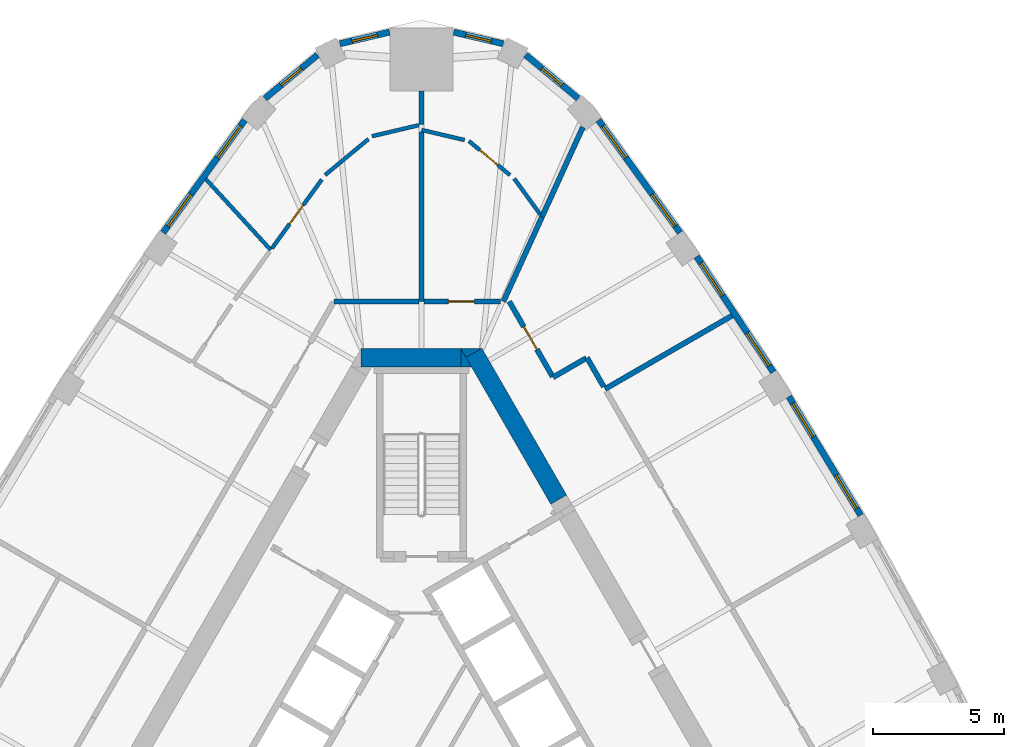
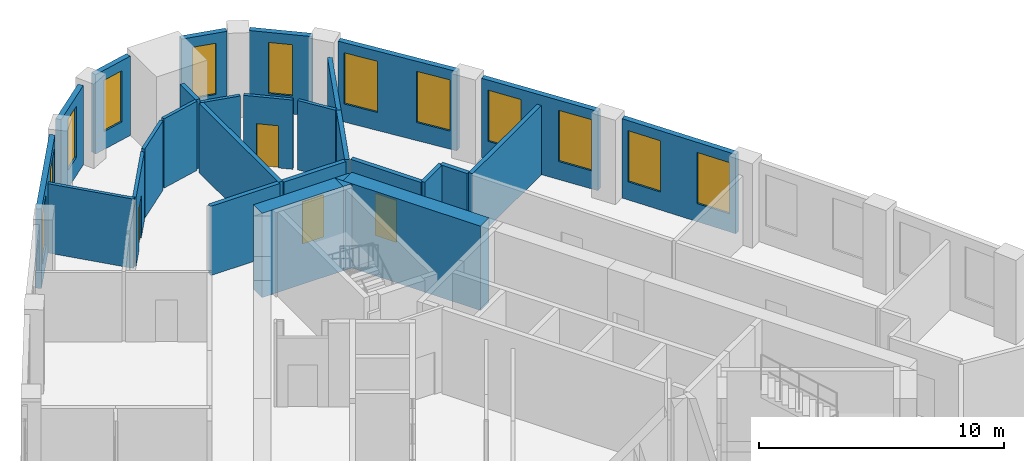
# One storey, part 8 of 10: 29 walls, 12 windows, 4 doors, 16 openings.
"""IFC4 building model written with IfcOpenShell, lengths in metres."""

from ifc_helpers import new_model, si_unit, direction, frame, frame_2d, origin, place, context, subcontext, project, spatial, polyline, rectangle, outline, extrude, material, layer, layer_set, type_object, element, fill, save


model = new_model("IFC4")

# Units and contexts
model_context = context("Model", 3, precision=1e-05, world=origin(), true_north=direction((0.0, 1.0)))
body_context = subcontext(model_context, "Body", "Model", "MODEL_VIEW")
ifc_project = project(units=[si_unit("LENGTHUNIT", "METRE"), si_unit("AREAUNIT", "SQUARE_METRE"), si_unit("VOLUMEUNIT", "CUBIC_METRE"), si_unit("PLANEANGLEUNIT", "RADIAN"), si_unit("MASSUNIT", "GRAM", prefix="KILO")], contexts=[model_context])

# Site, building, storey
site_placement = place(None, origin())
site = spatial("IfcSite", under=ifc_project, at=site_placement, CompositionType="ELEMENT")
building_placement = place(site_placement, origin())
building = spatial("IfcBuilding", under=site, at=building_placement, Name="Mestral Congress Tower", CompositionType="ELEMENT")
storey_placement = place(building_placement, frame((0.0, 0.0, 218.39990234375)))
storey = spatial("IfcBuildingStorey", under=building, at=storey_placement, Name="L51", CompositionType="ELEMENT", Elevation=218.39990234375)

# Walls
ifc_material_1 = material(Name="Concrete C60/75", Category="concrete")
ifc_layer_1 = layer(ifc_material_1, 0.699951171875)
ifc_layer_set_1 = layer_set([ifc_layer_1], Name="Concrete C60/75")
wall_type_1 = type_object("IfcWallType", Name="Core wall RC 700", PredefinedType="SOLIDWALL", material=ifc_layer_set_1)
wall_1_placement = place(storey_placement, frame((5.23828125, 10.927001953125, 0.0), z_axis=(0.0, 0.0, 1.0), x_axis=(-0.499985607887, 0.866033712915, 0.0)))
element("IfcWall", 1, at=wall_1_placement, inside=storey, type_object=wall_type_1, Name="L51 core wall", PredefinedType="SOLIDWALL", context=body_context, shape_type="SweptSolid", body=[
    extrude(rectangle(XDim=6.478271484375, YDim=0.699951171875, at=frame_2d((3.2392578125, 0.0))), origin(), (0.0, 0.0, 1.0), 4.2001953125),
])
placement = place(storey_placement, origin())
element("IfcWall", 2, at=placement, inside=storey, type_object=wall_type_1, Name="L51 core wall", PredefinedType="SOLIDWALL", context=body_context, shape_type="SweptSolid", body=[
    extrude(outline(polyline([(1.501220703125, 16.699951171875), (2.277099609375, 16.699951171875), (1.695068359375, 16.364013671875), (1.501220703125, 16.699951171875)])), origin(), (0.0, 0.0, 1.0), 4.2001953125),
])
wall_3_placement = place(storey_placement, frame((-2.323486328125, 16.35009765625, 0.0), z_axis=(0.0, 0.0, 1.0), x_axis=(1.0, 0.0, 0.0)))
element("IfcWall", 3, at=wall_3_placement, inside=storey, type_object=wall_type_1, Name="L51 core wall", PredefinedType="SOLIDWALL", context=body_context, shape_type="SweptSolid", body=[
    extrude(rectangle(XDim=3.828857421875, YDim=0.699951171875, at=frame_2d((1.91455078125, 0.0))), origin(), (0.0, 0.0, 1.0), 4.2001953125),
])
element("IfcWall", 4, at=placement, inside=storey, type_object=wall_type_1, Name="L51 core wall", PredefinedType="SOLIDWALL", context=body_context, shape_type="SweptSolid", body=[
    extrude(outline(polyline([(1.9052734375, 16.0), (1.50732421875, 16.0), (1.50732421875, 16.689208984375), (1.9052734375, 16.0)])), origin(), (0.0, 0.0, 1.0), 4.2001953125),
])

# Wall, openings, windows
ifc_material_2 = material(Name="Precast concrete C40/50 with limestone facing", Category="masonry")
ifc_layer_2 = layer(ifc_material_2, 0.239990234375)
ifc_layer_set_2 = layer_set([ifc_layer_2], Name="Precast concrete C40/50 with limestone facing")
wall_type_2 = type_object("IfcWallType", Name="Facade stone wall 240", PredefinedType="SOLIDWALL", material=ifc_layer_set_2)
wall_5_placement = place(storey_placement, frame((16.78173828125, 10.331298828125, 0.0), z_axis=(0.0, 0.0, 1.0), x_axis=(-0.517846166225, 0.855473756538, 0.0)))
wall_5 = element("IfcWall", 5, at=wall_5_placement, inside=storey, type_object=wall_type_2, Name="Facade wall F1-03", PredefinedType="SOLIDWALL", context=body_context, shape_type="SweptSolid", body=[
    extrude(rectangle(XDim=5.298095703125, YDim=0.239990234375, at=frame_2d((2.64892578125, 0.0))), origin(), (0.0, 0.0, 1.0), 3.9501953125),
])
opening_1_placement = place(wall_5_placement, frame((0.29443359375, 0.0, 0.89990234375)))
opening_1 = element("IfcOpeningElement", 6, at=opening_1_placement, cuts=wall_5, Name="Opening W4", PredefinedType="OPENING", context=body_context, shape_type="SweptSolid", body=[
    extrude(rectangle(XDim=1.5, YDim=2.550048828125, at=frame_2d((0.75, 1.27490234375))), frame((0.0, 0.1298828125, 0.0), z_axis=(0.0, -1.0, 0.0), x_axis=(1.0, 0.0, 0.0)), (0.0, 0.0, 1.0), 0.260009765625),
])
opening_2_placement = place(wall_5_placement, frame((3.503662109375, 0.0, 0.89990234375)))
opening_2 = element("IfcOpeningElement", 7, at=opening_2_placement, cuts=wall_5, Name="Opening W4", PredefinedType="OPENING", context=body_context, shape_type="SweptSolid", body=[
    extrude(rectangle(XDim=1.5, YDim=2.550048828125, at=frame_2d((0.75, 1.27490234375))), frame((0.0, 0.1298828125, 0.0), z_axis=(0.0, -1.0, 0.0), x_axis=(1.0, 0.0, 0.0)), (0.0, 0.0, 1.0), 0.260009765625),
])
ifc_material_3 = material(Name="Clear low-emissivity double glazing", Category="glass")
window_type_1 = type_object("IfcWindowType", Name="Facade punched window 1500 x 2550 sill 900", PartitioningType="SINGLE_PANEL", PredefinedType="WINDOW", material=ifc_material_3)
window_1_placement = place(opening_1_placement, origin())
window_1 = element("IfcWindow", 8, at=window_1_placement, inside=storey, type_object=window_type_1, Name="Window F1-03a", OverallHeight=2.550048828125, OverallWidth=1.5, PartitioningType="SINGLE_PANEL", PredefinedType="WINDOW", context=body_context, shape_type="SweptSolid", body=[
    extrude(rectangle(XDim=1.5, YDim=2.550048828125, at=frame_2d((0.75, 1.27490234375))), frame((0.0, 0.0400390625, 0.0), z_axis=(0.0, -1.0, 0.0), x_axis=(1.0, 0.0, 0.0)), (0.0, 0.0, 1.0), 0.06005859375),
])
fill(opening_1, window_1)
window_2_placement = place(opening_2_placement, origin())
window_2 = element("IfcWindow", 9, at=window_2_placement, inside=storey, type_object=window_type_1, Name="Window F1-03b", OverallHeight=2.550048828125, OverallWidth=1.5, PartitioningType="SINGLE_PANEL", PredefinedType="WINDOW", context=body_context, shape_type="SweptSolid", body=[
    extrude(rectangle(XDim=1.5, YDim=2.550048828125, at=frame_2d((0.75, 1.27490234375))), frame((0.0, 0.0400390625, 0.0), z_axis=(0.0, -1.0, 0.0), x_axis=(1.0, 0.0, 0.0)), (0.0, 0.0, 1.0), 0.06005859375),
])
fill(opening_2, window_2)

wall_6_placement = place(storey_placement, frame((13.442138671875, 15.803466796875, 0.0), z_axis=(0.0, 0.0, 1.0), x_axis=(-0.552901821755, 0.833246407433, 0.0)))
wall_6 = element("IfcWall", 10, at=wall_6_placement, inside=storey, type_object=wall_type_2, Name="Facade wall F1-04", PredefinedType="SOLIDWALL", context=body_context, shape_type="SweptSolid", body=[
    extrude(rectangle(XDim=5.29833984375, YDim=0.239990234375, at=frame_2d((2.649169921875, 0.0))), origin(), (0.0, 0.0, 1.0), 3.9501953125),
])
opening_3_placement = place(wall_6_placement, frame((0.294677734375, 0.0, 0.89990234375)))
opening_3 = element("IfcOpeningElement", 11, at=opening_3_placement, cuts=wall_6, Name="Opening W4", PredefinedType="OPENING", context=body_context, shape_type="SweptSolid", body=[
    extrude(rectangle(XDim=1.5, YDim=2.550048828125, at=frame_2d((0.75, 1.27490234375))), frame((0.0, 0.1298828125, 0.0), z_axis=(0.0, -1.0, 0.0), x_axis=(1.0, 0.0, 0.0)), (0.0, 0.0, 1.0), 0.260009765625),
])
opening_4_placement = place(wall_6_placement, frame((3.50390625, 0.0, 0.89990234375)))
opening_4 = element("IfcOpeningElement", 12, at=opening_4_placement, cuts=wall_6, Name="Opening W4", PredefinedType="OPENING", context=body_context, shape_type="SweptSolid", body=[
    extrude(rectangle(XDim=1.5, YDim=2.550048828125, at=frame_2d((0.75, 1.27490234375))), frame((0.0, 0.1298828125, 0.0), z_axis=(0.0, -1.0, 0.0), x_axis=(1.0, 0.0, 0.0)), (0.0, 0.0, 1.0), 0.260009765625),
])
window_3_placement = place(opening_3_placement, origin())
window_3 = element("IfcWindow", 13, at=window_3_placement, inside=storey, type_object=window_type_1, Name="Window F1-04a", OverallHeight=2.550048828125, OverallWidth=1.5, PartitioningType="SINGLE_PANEL", PredefinedType="WINDOW", context=body_context, shape_type="SweptSolid", body=[
    extrude(rectangle(XDim=1.5, YDim=2.550048828125, at=frame_2d((0.75, 1.27490234375))), frame((0.0, 0.0400390625, 0.0), z_axis=(0.0, -1.0, 0.0), x_axis=(1.0, 0.0, 0.0)), (0.0, 0.0, 1.0), 0.06005859375),
])
fill(opening_3, window_3)
window_4_placement = place(opening_4_placement, origin())
window_4 = element("IfcWindow", 14, at=window_4_placement, inside=storey, type_object=window_type_1, Name="Window F1-04b", OverallHeight=2.550048828125, OverallWidth=1.5, PartitioningType="SINGLE_PANEL", PredefinedType="WINDOW", context=body_context, shape_type="SweptSolid", body=[
    extrude(rectangle(XDim=1.5, YDim=2.550048828125, at=frame_2d((0.75, 1.27490234375))), frame((0.0, 0.0400390625, 0.0), z_axis=(0.0, -1.0, 0.0), x_axis=(1.0, 0.0, 0.0)), (0.0, 0.0, 1.0), 0.06005859375),
])
fill(opening_4, window_4)

wall_7_placement = place(storey_placement, frame((9.87841796875, 21.13232421875, 0.0), z_axis=(0.0, 0.0, 1.0), x_axis=(-0.586998456641, 0.80958805074, 0.0)))
wall_7 = element("IfcWall", 15, at=wall_7_placement, inside=storey, type_object=wall_type_2, Name="Facade wall F1-05", PredefinedType="SOLIDWALL", context=body_context, shape_type="SweptSolid", body=[
    extrude(rectangle(XDim=5.310791015625, YDim=0.239990234375, at=frame_2d((2.6552734375, 0.0))), origin(), (0.0, 0.0, 1.0), 3.9501953125),
])
opening_5_placement = place(wall_7_placement, frame((0.306396484375, 0.0, 0.89990234375)))
opening_5 = element("IfcOpeningElement", 16, at=opening_5_placement, cuts=wall_7, Name="Opening W4", PredefinedType="OPENING", context=body_context, shape_type="SweptSolid", body=[
    extrude(rectangle(XDim=1.5, YDim=2.550048828125, at=frame_2d((0.75, 1.27490234375))), frame((0.0, 0.1298828125, 0.0), z_axis=(0.0, -1.0, 0.0), x_axis=(1.0, 0.0, 0.0)), (0.0, 0.0, 1.0), 0.260009765625),
])
opening_6_placement = place(wall_7_placement, frame((3.539306640625, 0.0, 0.89990234375)))
opening_6 = element("IfcOpeningElement", 17, at=opening_6_placement, cuts=wall_7, Name="Opening W4", PredefinedType="OPENING", context=body_context, shape_type="SweptSolid", body=[
    extrude(rectangle(XDim=1.5, YDim=2.550048828125, at=frame_2d((0.75, 1.27490234375))), frame((0.0, 0.1298828125, 0.0), z_axis=(0.0, -1.0, 0.0), x_axis=(1.0, 0.0, 0.0)), (0.0, 0.0, 1.0), 0.260009765625),
])
window_5_placement = place(opening_5_placement, origin())
window_5 = element("IfcWindow", 18, at=window_5_placement, inside=storey, type_object=window_type_1, Name="Window F1-05a", OverallHeight=2.550048828125, OverallWidth=1.5, PartitioningType="SINGLE_PANEL", PredefinedType="WINDOW", context=body_context, shape_type="SweptSolid", body=[
    extrude(rectangle(XDim=1.5, YDim=2.550048828125, at=frame_2d((0.75, 1.27490234375))), frame((0.0, 0.0400390625, 0.0), z_axis=(0.0, -1.0, 0.0), x_axis=(1.0, 0.0, 0.0)), (0.0, 0.0, 1.0), 0.06005859375),
])
fill(opening_5, window_5)
window_6_placement = place(opening_6_placement, origin())
window_6 = element("IfcWindow", 19, at=window_6_placement, inside=storey, type_object=window_type_1, Name="Window F1-05b", OverallHeight=2.550048828125, OverallWidth=1.5, PartitioningType="SINGLE_PANEL", PredefinedType="WINDOW", context=body_context, shape_type="SweptSolid", body=[
    extrude(rectangle(XDim=1.5, YDim=2.550048828125, at=frame_2d((0.75, 1.27490234375))), frame((0.0, 0.0400390625, 0.0), z_axis=(0.0, -1.0, 0.0), x_axis=(1.0, 0.0, 0.0)), (0.0, 0.0, 1.0), 0.06005859375),
])
fill(opening_6, window_6)

# Wall, opening, window
wall_8_placement = place(storey_placement, frame((5.986572265625, 26.259033203125, 0.0), z_axis=(0.0, 0.0, 1.0), x_axis=(-0.769990037733, 0.638055908045, 0.0)))
wall_8 = element("IfcWall", 20, at=wall_8_placement, inside=storey, type_object=wall_type_2, Name="Facade wall K1-0", PredefinedType="SOLIDWALL", context=body_context, shape_type="SweptSolid", body=[
    extrude(rectangle(XDim=2.609130859375, YDim=0.239990234375, at=frame_2d((1.3046875, 0.0))), origin(), (0.0, 0.0, 1.0), 3.9501953125),
])
opening_7_placement = place(wall_8_placement, frame((0.8046875, 0.0, 0.89990234375)))
opening_7 = element("IfcOpeningElement", 21, at=opening_7_placement, cuts=wall_8, Name="Opening W5", PredefinedType="OPENING", context=body_context, shape_type="SweptSolid", body=[
    extrude(rectangle(XDim=1.0, YDim=2.550048828125, at=frame_2d((0.5, 1.27490234375))), frame((0.0, 0.1298828125, 0.0), z_axis=(0.0, -1.0, 0.0), x_axis=(1.0, 0.0, 0.0)), (0.0, 0.0, 1.0), 0.260009765625),
])
window_type_2 = type_object("IfcWindowType", Name="Facade punched window 1000 x 2550 sill 900", PartitioningType="SINGLE_PANEL", PredefinedType="WINDOW", material=ifc_material_3)
window_7_placement = place(opening_7_placement, origin())
window_7 = element("IfcWindow", 22, at=window_7_placement, inside=storey, type_object=window_type_2, Name="Window K1-0", OverallHeight=2.550048828125, OverallWidth=1.0, PartitioningType="SINGLE_PANEL", PredefinedType="WINDOW", context=body_context, shape_type="SweptSolid", body=[
    extrude(rectangle(XDim=1.0, YDim=2.550048828125, at=frame_2d((0.5, 1.27490234375))), frame((0.0, 0.0400390625, 0.0), z_axis=(0.0, -1.0, 0.0), x_axis=(1.0, 0.0, 0.0)), (0.0, 0.0, 1.0), 0.06005859375),
])
fill(opening_7, window_7)

wall_9_placement = place(storey_placement, frame((3.123046875, 28.3486328125, 0.0), z_axis=(0.0, 0.0, 1.0), x_axis=(-0.973515706272, 0.228620142686, 0.0)))
wall_9 = element("IfcWall", 23, at=wall_9_placement, inside=storey, type_object=wall_type_2, Name="Facade wall K1-1", PredefinedType="SOLIDWALL", context=body_context, shape_type="SweptSolid", body=[
    extrude(rectangle(XDim=1.94775390625, YDim=0.239990234375, at=frame_2d((0.973876953125, 0.0))), origin(), (0.0, 0.0, 1.0), 3.9501953125),
])
opening_8_placement = place(wall_9_placement, frame((0.47412109375, 0.0, 0.89990234375)))
opening_8 = element("IfcOpeningElement", 24, at=opening_8_placement, cuts=wall_9, Name="Opening W5", PredefinedType="OPENING", context=body_context, shape_type="SweptSolid", body=[
    extrude(rectangle(XDim=1.0, YDim=2.550048828125, at=frame_2d((0.5, 1.27490234375))), frame((0.0, 0.1298828125, 0.0), z_axis=(0.0, -1.0, 0.0), x_axis=(1.0, 0.0, 0.0)), (0.0, 0.0, 1.0), 0.260009765625),
])
window_8_placement = place(opening_8_placement, origin())
window_8 = element("IfcWindow", 25, at=window_8_placement, inside=storey, type_object=window_type_2, Name="Window K1-1", OverallHeight=2.550048828125, OverallWidth=1.0, PartitioningType="SINGLE_PANEL", PredefinedType="WINDOW", context=body_context, shape_type="SweptSolid", body=[
    extrude(rectangle(XDim=1.0, YDim=2.550048828125, at=frame_2d((0.5, 1.27490234375))), frame((0.0, 0.0400390625, 0.0), z_axis=(0.0, -1.0, 0.0), x_axis=(1.0, 0.0, 0.0)), (0.0, 0.0, 1.0), 0.06005859375),
])
fill(opening_8, window_8)

wall_10_placement = place(storey_placement, frame((-1.226806640625, 28.7939453125, 0.0), z_axis=(0.0, 0.0, 1.0), x_axis=(-0.973515706272, -0.228620142686, 0.0)))
wall_10 = element("IfcWall", 26, at=wall_10_placement, inside=storey, type_object=wall_type_2, Name="Facade wall K1-2", PredefinedType="SOLIDWALL", context=body_context, shape_type="SweptSolid", body=[
    extrude(rectangle(XDim=1.94775390625, YDim=0.239990234375, at=frame_2d((0.973876953125, 0.0))), origin(), (0.0, 0.0, 1.0), 3.9501953125),
])
opening_9_placement = place(wall_10_placement, frame((0.47412109375, 0.0, 0.89990234375)))
opening_9 = element("IfcOpeningElement", 27, at=opening_9_placement, cuts=wall_10, Name="Opening W5", PredefinedType="OPENING", context=body_context, shape_type="SweptSolid", body=[
    extrude(rectangle(XDim=1.0, YDim=2.550048828125, at=frame_2d((0.5, 1.27490234375))), frame((0.0, 0.1298828125, 0.0), z_axis=(0.0, -1.0, 0.0), x_axis=(1.0, 0.0, 0.0)), (0.0, 0.0, 1.0), 0.260009765625),
])
window_9_placement = place(opening_9_placement, origin())
window_9 = element("IfcWindow", 28, at=window_9_placement, inside=storey, type_object=window_type_2, Name="Window K1-2", OverallHeight=2.550048828125, OverallWidth=1.0, PartitioningType="SINGLE_PANEL", PredefinedType="WINDOW", context=body_context, shape_type="SweptSolid", body=[
    extrude(rectangle(XDim=1.0, YDim=2.550048828125, at=frame_2d((0.5, 1.27490234375))), frame((0.0, 0.0400390625, 0.0), z_axis=(0.0, -1.0, 0.0), x_axis=(1.0, 0.0, 0.0)), (0.0, 0.0, 1.0), 0.06005859375),
])
fill(opening_9, window_9)

wall_11_placement = place(storey_placement, frame((-3.9775390625, 27.923828125, 0.0), z_axis=(0.0, 0.0, 1.0), x_axis=(-0.769990037733, -0.638055908045, 0.0)))
wall_11 = element("IfcWall", 29, at=wall_11_placement, inside=storey, type_object=wall_type_2, Name="Facade wall K1-3", PredefinedType="SOLIDWALL", context=body_context, shape_type="SweptSolid", body=[
    extrude(rectangle(XDim=2.609130859375, YDim=0.239990234375, at=frame_2d((1.3046875, 0.0))), origin(), (0.0, 0.0, 1.0), 3.9501953125),
])
opening_10_placement = place(wall_11_placement, frame((0.8046875, 0.0, 0.89990234375)))
opening_10 = element("IfcOpeningElement", 30, at=opening_10_placement, cuts=wall_11, Name="Opening W5", PredefinedType="OPENING", context=body_context, shape_type="SweptSolid", body=[
    extrude(rectangle(XDim=1.0, YDim=2.550048828125, at=frame_2d((0.5, 1.27490234375))), frame((0.0, 0.1298828125, 0.0), z_axis=(0.0, -1.0, 0.0), x_axis=(1.0, 0.0, 0.0)), (0.0, 0.0, 1.0), 0.260009765625),
])
window_10_placement = place(opening_10_placement, origin())
window_10 = element("IfcWindow", 31, at=window_10_placement, inside=storey, type_object=window_type_2, Name="Window K1-3", OverallHeight=2.550048828125, OverallWidth=1.0, PartitioningType="SINGLE_PANEL", PredefinedType="WINDOW", context=body_context, shape_type="SweptSolid", body=[
    extrude(rectangle(XDim=1.0, YDim=2.550048828125, at=frame_2d((0.5, 1.27490234375))), frame((0.0, 0.0400390625, 0.0), z_axis=(0.0, -1.0, 0.0), x_axis=(1.0, 0.0, 0.0)), (0.0, 0.0, 1.0), 0.06005859375),
])
fill(opening_10, window_10)

# Wall, openings, windows
wall_12_placement = place(storey_placement, frame((-6.760986328125, 25.431884765625, 0.0), z_axis=(0.0, 0.0, 1.0), x_axis=(-0.586998456641, -0.80958805074, 0.0)))
wall_12 = element("IfcWall", 32, at=wall_12_placement, inside=storey, type_object=wall_type_2, Name="Facade wall F2-00", PredefinedType="SOLIDWALL", context=body_context, shape_type="SweptSolid", body=[
    extrude(rectangle(XDim=5.310791015625, YDim=0.239990234375, at=frame_2d((2.6552734375, 0.0))), origin(), (0.0, 0.0, 1.0), 3.9501953125),
])
opening_11_placement = place(wall_12_placement, frame((0.271484375, 0.0, 0.89990234375)))
opening_11 = element("IfcOpeningElement", 33, at=opening_11_placement, cuts=wall_12, Name="Opening W4", PredefinedType="OPENING", context=body_context, shape_type="SweptSolid", body=[
    extrude(rectangle(XDim=1.5, YDim=2.550048828125, at=frame_2d((0.75, 1.27490234375))), frame((0.0, 0.1298828125, 0.0), z_axis=(0.0, -1.0, 0.0), x_axis=(1.0, 0.0, 0.0)), (0.0, 0.0, 1.0), 0.260009765625),
])
opening_12_placement = place(wall_12_placement, frame((3.50439453125, 0.0, 0.89990234375)))
opening_12 = element("IfcOpeningElement", 34, at=opening_12_placement, cuts=wall_12, Name="Opening W4", PredefinedType="OPENING", context=body_context, shape_type="SweptSolid", body=[
    extrude(rectangle(XDim=1.5, YDim=2.550048828125, at=frame_2d((0.75, 1.27490234375))), frame((0.0, 0.1298828125, 0.0), z_axis=(0.0, -1.0, 0.0), x_axis=(1.0, 0.0, 0.0)), (0.0, 0.0, 1.0), 0.260009765625),
])
window_11_placement = place(opening_11_placement, origin())
window_11 = element("IfcWindow", 35, at=window_11_placement, inside=storey, type_object=window_type_1, Name="Window F2-00a", OverallHeight=2.550048828125, OverallWidth=1.5, PartitioningType="SINGLE_PANEL", PredefinedType="WINDOW", context=body_context, shape_type="SweptSolid", body=[
    extrude(rectangle(XDim=1.5, YDim=2.550048828125, at=frame_2d((0.75, 1.27490234375))), frame((0.0, 0.0400390625, 0.0), z_axis=(0.0, -1.0, 0.0), x_axis=(1.0, 0.0, 0.0)), (0.0, 0.0, 1.0), 0.06005859375),
])
fill(opening_11, window_11)
window_12_placement = place(opening_12_placement, origin())
window_12 = element("IfcWindow", 36, at=window_12_placement, inside=storey, type_object=window_type_1, Name="Window F2-00b", OverallHeight=2.550048828125, OverallWidth=1.5, PartitioningType="SINGLE_PANEL", PredefinedType="WINDOW", context=body_context, shape_type="SweptSolid", body=[
    extrude(rectangle(XDim=1.5, YDim=2.550048828125, at=frame_2d((0.75, 1.27490234375))), frame((0.0, 0.0400390625, 0.0), z_axis=(0.0, -1.0, 0.0), x_axis=(1.0, 0.0, 0.0)), (0.0, 0.0, 1.0), 0.06005859375),
])
fill(opening_12, window_12)

# Wall
ifc_material_4 = material(Name="Plasterboard partition on steel studs", Category="steel")
ifc_layer_3 = layer(ifc_material_4, 0.14990234375)
ifc_layer_set_3 = layer_set([ifc_layer_3], Name="Plasterboard partition on steel studs")
wall_type_3 = type_object("IfcWallType", Name="Office partition 150", PredefinedType="PARTITIONING", material=ifc_layer_set_3)
wall_13_placement = place(storey_placement, frame((4.533203125, 21.826416015625, 0.0), z_axis=(0.0, 0.0, 1.0), x_axis=(-0.587019669034, 0.809572670096, 0.0)))
element("IfcWall", 37, at=wall_13_placement, inside=storey, type_object=wall_type_3, Name="Partition", PredefinedType="PARTITIONING", context=body_context, shape_type="SweptSolid", body=[
    extrude(rectangle(XDim=1.689453125, YDim=0.14990234375, at=frame_2d((0.8447265625, 0.0))), origin(), (0.0, 0.0, 1.0), 3.4501953125),
])

# Wall, opening, door
wall_14_placement = place(storey_placement, frame((1.8076171875, 24.630859375, 0.0), z_axis=(0.0, 0.0, 1.0), x_axis=(0.769986239032, -0.638060492195, 0.0)))
wall_14 = element("IfcWall", 38, at=wall_14_placement, inside=storey, type_object=wall_type_3, Name="Partition", PredefinedType="PARTITIONING", context=body_context, shape_type="SweptSolid", body=[
    extrude(rectangle(XDim=2.03759765625, YDim=0.14990234375, at=frame_2d((1.018798828125, 0.0))), origin(), (0.0, 0.0, 1.0), 3.4501953125),
])
opening_13_placement = place(wall_14_placement, frame((0.53759765625, 0.0, 0.0)))
opening_13 = element("IfcOpeningElement", 39, at=opening_13_placement, cuts=wall_14, Name="Opening O07-007", PredefinedType="OPENING", context=body_context, shape_type="SweptSolid", body=[
    extrude(rectangle(XDim=0.89990234375, YDim=2.10009765625, at=frame_2d((0.449951171875, 1.050048828125))), frame((0.0, 0.0849609375, 0.0), z_axis=(0.0, -1.0, 0.0), x_axis=(1.0, 0.0, 0.0)), (0.0, 0.0, 1.0), 0.169921875),
])
ifc_material_5 = material(Name="Timber door set", Category="wood")
door_type_1 = type_object("IfcDoorType", Name="Office door 900x2100", OperationType="SINGLE_SWING_LEFT", PredefinedType="DOOR", material=ifc_material_5)
door_1_placement = place(opening_13_placement, origin())
door_1 = element("IfcDoor", 40, at=door_1_placement, inside=storey, type_object=door_type_1, Name="Door O07-007", OperationType="SINGLE_SWING_LEFT", OverallHeight=2.10009765625, OverallWidth=0.89990234375, PredefinedType="DOOR", context=body_context, shape_type="SweptSolid", body=[
    extrude(rectangle(XDim=0.89990234375, YDim=2.10009765625, at=frame_2d((0.449951171875, 1.050048828125))), frame((0.0, 0.02490234375, 0.0), z_axis=(0.0, -1.0, 0.0), x_axis=(1.0, 0.0, 0.0)), (0.0, 0.0, 1.0), 0.050048828125),
])
fill(opening_13, door_1)

# Walls
wall_15_placement = place(storey_placement, frame((1.643798828125, 24.66943359375, 0.0), z_axis=(0.0, 0.0, 1.0), x_axis=(-0.973521361509, 0.228596060084, 0.0)))
element("IfcWall", 41, at=wall_15_placement, inside=storey, type_object=wall_type_3, Name="Partition", PredefinedType="PARTITIONING", context=body_context, shape_type="SweptSolid", body=[
    extrude(rectangle(XDim=1.6884765625, YDim=0.14990234375, at=frame_2d((0.84423828125, 0.0))), origin(), (0.0, 0.0, 1.0), 3.4501953125),
])
wall_16_placement = place(storey_placement, frame((-5.764404296875, 20.46923828125, 0.0), z_axis=(0.0, 0.0, 1.0), x_axis=(-0.675673477211, 0.737201025632, 0.0)))
element("IfcWall", 42, at=wall_16_placement, inside=storey, type_object=wall_type_3, Name="Partition", PredefinedType="PARTITIONING", context=body_context, shape_type="SweptSolid", body=[
    extrude(rectangle(XDim=3.67431640625, YDim=0.14990234375, at=frame_2d((1.837158203125, 0.0))), origin(), (0.0, 0.0, 1.0), 3.4501953125),
])
wall_17_placement = place(storey_placement, frame((-0.10009765625, 25.2373046875, 0.0), z_axis=(0.0, 0.0, 1.0), x_axis=(-0.973501996937, -0.22867851224, 0.0)))
element("IfcWall", 43, at=wall_17_placement, inside=storey, type_object=wall_type_3, Name="Partition", PredefinedType="PARTITIONING", context=body_context, shape_type="SweptSolid", body=[
    extrude(rectangle(XDim=1.84814453125, YDim=0.14990234375, at=frame_2d((0.924072265625, 0.0))), origin(), (0.0, 0.0, 1.0), 3.4501953125),
])
wall_18_placement = place(storey_placement, frame((-2.02880859375, 24.707275390625, 0.0), z_axis=(0.0, 0.0, 1.0), x_axis=(-0.769991356208, -0.63805431694, 0.0)))
element("IfcWall", 44, at=wall_18_placement, inside=storey, type_object=wall_type_3, Name="Partition", PredefinedType="PARTITIONING", context=body_context, shape_type="SweptSolid", body=[
    extrude(rectangle(XDim=2.15576171875, YDim=0.14990234375, at=frame_2d((1.077880859375, 0.0))), origin(), (0.0, 0.0, 1.0), 3.4501953125),
])

# Wall, opening, door
wall_19_placement = place(storey_placement, frame((-5.71923828125, 20.53125, 0.0), z_axis=(0.0, 0.0, 1.0), x_axis=(0.586981132734, 0.809600611298, 0.0)))
wall_19 = element("IfcWall", 45, at=wall_19_placement, inside=storey, type_object=wall_type_3, Name="Partition", PredefinedType="PARTITIONING", context=body_context, shape_type="SweptSolid", body=[
    extrude(rectangle(XDim=3.2451171875, YDim=0.14990234375, at=frame_2d((1.62255859375, 0.0))), origin(), (0.0, 0.0, 1.0), 3.4501953125),
])
opening_14_placement = place(wall_19_placement, frame((1.145263671875, 0.0, 0.0)))
opening_14 = element("IfcOpeningElement", 46, at=opening_14_placement, cuts=wall_19, Name="Opening O07-009", PredefinedType="OPENING", context=body_context, shape_type="SweptSolid", body=[
    extrude(rectangle(XDim=0.89990234375, YDim=2.10009765625, at=frame_2d((0.449951171875, 1.050048828125))), frame((0.0, 0.0849609375, 0.0), z_axis=(0.0, -1.0, 0.0), x_axis=(1.0, 0.0, 0.0)), (0.0, 0.0, 1.0), 0.169921875),
])
door_2_placement = place(opening_14_placement, origin())
door_2 = element("IfcDoor", 47, at=door_2_placement, inside=storey, type_object=door_type_1, Name="Door O07-009", OperationType="SINGLE_SWING_LEFT", OverallHeight=2.10009765625, OverallWidth=0.89990234375, PredefinedType="DOOR", context=body_context, shape_type="SweptSolid", body=[
    extrude(rectangle(XDim=0.89990234375, YDim=2.10009765625, at=frame_2d((0.449951171875, 1.050048828125))), frame((0.0, 0.02490234375, 0.0), z_axis=(0.0, -1.0, 0.0), x_axis=(1.0, 0.0, 0.0)), (0.0, 0.0, 1.0), 0.050048828125),
])
fill(opening_14, door_2)

# Walls
ifc_material_6 = material(Name="Dense masonry wall, plastered", Category="masonry")
ifc_layer_4 = layer(ifc_material_6, 0.199951171875)
ifc_layer_set_4 = layer_set([ifc_layer_4], Name="Dense masonry wall, plastered")
wall_type_4 = type_object("IfcWallType", Name="Office tenancy wall 200", PredefinedType="PARTITIONING", material=ifc_layer_set_4)
wall_20_placement = place(storey_placement, frame((7.011474609375, 15.156005859375, 0.0), z_axis=(0.0, 0.0, 1.0), x_axis=(0.866015917575, 0.500016430238, 0.0)))
element("IfcWall", 48, at=wall_20_placement, inside=storey, type_object=wall_type_4, Name="Tenancy wall", PredefinedType="PARTITIONING", context=body_context, shape_type="SweptSolid", body=[
    extrude(rectangle(XDim=5.607177734375, YDim=0.199951171875, at=frame_2d((2.8037109375, 0.0))), origin(), (0.0, 0.0, 1.0), 3.4501953125),
])
wall_21_placement = place(storey_placement, frame((4.59912109375, 21.7294921875, 0.0), z_axis=(0.0, 0.0, 1.0), x_axis=(0.414300595715, 0.91014010811, 0.0)))
element("IfcWall", 49, at=wall_21_placement, inside=storey, type_object=wall_type_4, Name="Tenancy wall", PredefinedType="PARTITIONING", context=body_context, shape_type="SweptSolid", body=[
    extrude(rectangle(XDim=3.76953125, YDim=0.199951171875, at=frame_2d((1.884765625, 0.0))), origin(), (0.0, 0.0, 1.0), 3.4501953125),
])
wall_22_placement = place(storey_placement, frame((3.12890625, 18.5, 0.0), z_axis=(0.0, 0.0, 1.0), x_axis=(0.41435618773, 0.910114800281, 0.0)))
element("IfcWall", 50, at=wall_22_placement, inside=storey, type_object=wall_type_4, Name="Tenancy wall", PredefinedType="PARTITIONING", context=body_context, shape_type="SweptSolid", body=[
    extrude(rectangle(XDim=3.55712890625, YDim=0.199951171875, at=frame_2d((1.778564453125, 0.0))), origin(), (0.0, 0.0, 1.0), 3.4501953125),
])
wall_23_placement = place(storey_placement, frame((6.96142578125, 15.24267578125, 0.0), z_axis=(0.0, 0.0, 1.0), x_axis=(-0.500036104519, 0.866004557827, 0.0)))
element("IfcWall", 51, at=wall_23_placement, inside=storey, type_object=wall_type_4, Name="Tenancy wall", PredefinedType="PARTITIONING", context=body_context, shape_type="SweptSolid", body=[
    extrude(rectangle(XDim=1.2802734375, YDim=0.199951171875, at=frame_2d((0.64013671875, 0.0))), origin(), (0.0, 0.0, 1.0), 3.4501953125),
])
wall_24_placement = place(storey_placement, frame((6.29541015625, 16.336181640625, 0.0), z_axis=(0.0, 0.0, 1.0), x_axis=(-0.866088799389, -0.499890179513, 0.0)))
element("IfcWall", 52, at=wall_24_placement, inside=storey, type_object=wall_type_4, Name="Tenancy wall", PredefinedType="PARTITIONING", context=body_context, shape_type="SweptSolid", body=[
    extrude(rectangle(XDim=1.469970703125, YDim=0.199951171875, at=frame_2d((0.73486328125, 0.0))), origin(), (0.0, 0.0, 1.0), 3.4501953125),
])

# Wall, opening, door
wall_25_placement = place(storey_placement, frame((5.007080078125, 15.627197265625, 0.0), z_axis=(0.0, 0.0, 1.0), x_axis=(-0.499962429619, 0.866047093968, 0.0)))
wall_25 = element("IfcWall", 53, at=wall_25_placement, inside=storey, type_object=wall_type_4, Name="Tenancy wall", PredefinedType="PARTITIONING", context=body_context, shape_type="SweptSolid", body=[
    extrude(rectangle(XDim=3.317138671875, YDim=0.199951171875, at=frame_2d((1.65869140625, 0.0))), origin(), (0.0, 0.0, 1.0), 3.4501953125),
])
opening_15_placement = place(wall_25_placement, frame((1.199951171875, 0.0, 0.0)))
opening_15 = element("IfcOpeningElement", 54, at=opening_15_placement, cuts=wall_25, Name="Opening O07-006", PredefinedType="OPENING", context=body_context, shape_type="SweptSolid", body=[
    extrude(rectangle(XDim=1.0, YDim=2.10009765625, at=frame_2d((0.5, 1.050048828125))), frame((0.0, 0.10986328125, 0.0), z_axis=(0.0, -1.0, 0.0), x_axis=(1.0, 0.0, 0.0)), (0.0, 0.0, 1.0), 0.219970703125),
])
ifc_material_7 = material(Name="Fire-rated timber door set", Category="wood")
door_type_2 = type_object("IfcDoorType", Name="Office tenancy entrance door 1000x2100", OperationType="SINGLE_SWING_LEFT", PredefinedType="DOOR", material=ifc_material_7)
door_3_placement = place(opening_15_placement, origin())
door_3 = element("IfcDoor", 55, at=door_3_placement, inside=storey, type_object=door_type_2, Name="Door O07-006", OperationType="SINGLE_SWING_RIGHT", OverallHeight=2.10009765625, OverallWidth=1.0, PredefinedType="DOOR", context=body_context, shape_type="SweptSolid", body=[
    extrude(rectangle(XDim=1.0, YDim=2.10009765625, at=frame_2d((0.5, 1.050048828125))), frame((0.0, 0.02490234375, 0.0), z_axis=(0.0, -1.0, 0.0), x_axis=(1.0, 0.0, 0.0)), (0.0, 0.0, 1.0), 0.050048828125),
])
fill(opening_15, door_3)

# Walls
wall_26_placement = place(storey_placement, frame((0.0, 25.256591796875, 0.0), z_axis=(0.0, 0.0, 1.0), x_axis=(0.0, 1.0, 0.0)))
element("IfcWall", 56, at=wall_26_placement, inside=storey, type_object=wall_type_4, Name="Tenancy wall", PredefinedType="PARTITIONING", context=body_context, shape_type="SweptSolid", body=[
    extrude(rectangle(XDim=1.287841796875, YDim=0.199951171875, at=frame_2d((0.64404296875, 0.0))), origin(), (0.0, 0.0, 1.0), 3.4501953125),
])
wall_27_placement = place(storey_placement, frame((0.0, 18.5, 0.0), z_axis=(0.0, 0.0, 1.0), x_axis=(0.0, 1.0, 0.0)))
element("IfcWall", 57, at=wall_27_placement, inside=storey, type_object=wall_type_4, Name="Tenancy wall", PredefinedType="PARTITIONING", context=body_context, shape_type="SweptSolid", body=[
    extrude(rectangle(XDim=6.478515625, YDim=0.199951171875, at=frame_2d((3.2392578125, 0.0))), origin(), (0.0, 0.0, 1.0), 3.4501953125),
])

# Wall, opening, door
wall_28_placement = place(storey_placement, frame((3.01904296875, 18.5, 0.0), z_axis=(0.0, 0.0, 1.0), x_axis=(-1.0, 0.0, 0.0)))
wall_28 = element("IfcWall", 58, at=wall_28_placement, inside=storey, type_object=wall_type_4, Name="Tenancy wall", PredefinedType="PARTITIONING", context=body_context, shape_type="SweptSolid", body=[
    extrude(rectangle(XDim=2.9189453125, YDim=0.199951171875, at=frame_2d((1.45947265625, 0.0))), origin(), (0.0, 0.0, 1.0), 3.4501953125),
])
opening_16_placement = place(wall_28_placement, frame((1.0, 0.0, 0.0)))
opening_16 = element("IfcOpeningElement", 59, at=opening_16_placement, cuts=wall_28, Name="Opening O07-008", PredefinedType="OPENING", context=body_context, shape_type="SweptSolid", body=[
    extrude(rectangle(XDim=1.0, YDim=2.10009765625, at=frame_2d((0.5, 1.050048828125))), frame((0.0, 0.10986328125, 0.0), z_axis=(0.0, -1.0, 0.0), x_axis=(1.0, 0.0, 0.0)), (0.0, 0.0, 1.0), 0.219970703125),
])
door_4_placement = place(opening_16_placement, origin())
door_4 = element("IfcDoor", 60, at=door_4_placement, inside=storey, type_object=door_type_2, Name="Door O07-008", OperationType="SINGLE_SWING_RIGHT", OverallHeight=2.10009765625, OverallWidth=1.0, PredefinedType="DOOR", context=body_context, shape_type="SweptSolid", body=[
    extrude(rectangle(XDim=1.0, YDim=2.10009765625, at=frame_2d((0.5, 1.050048828125))), frame((0.0, 0.02490234375, 0.0), z_axis=(0.0, -1.0, 0.0), x_axis=(1.0, 0.0, 0.0)), (0.0, 0.0, 1.0), 0.050048828125),
])
fill(opening_16, door_4)

# Wall
wall_29_placement = place(storey_placement, frame((-0.10009765625, 18.5, 0.0), z_axis=(0.0, 0.0, 1.0), x_axis=(-1.0, 0.0, 0.0)))
element("IfcWall", 61, at=wall_29_placement, inside=storey, type_object=wall_type_4, Name="Tenancy wall", PredefinedType="PARTITIONING", context=body_context, shape_type="SweptSolid", body=[
    extrude(rectangle(XDim=3.24853515625, YDim=0.199951171875, at=frame_2d((1.624267578125, 0.0))), origin(), (0.0, 0.0, 1.0), 3.4501953125),
])

save(model, "model.ifc")
